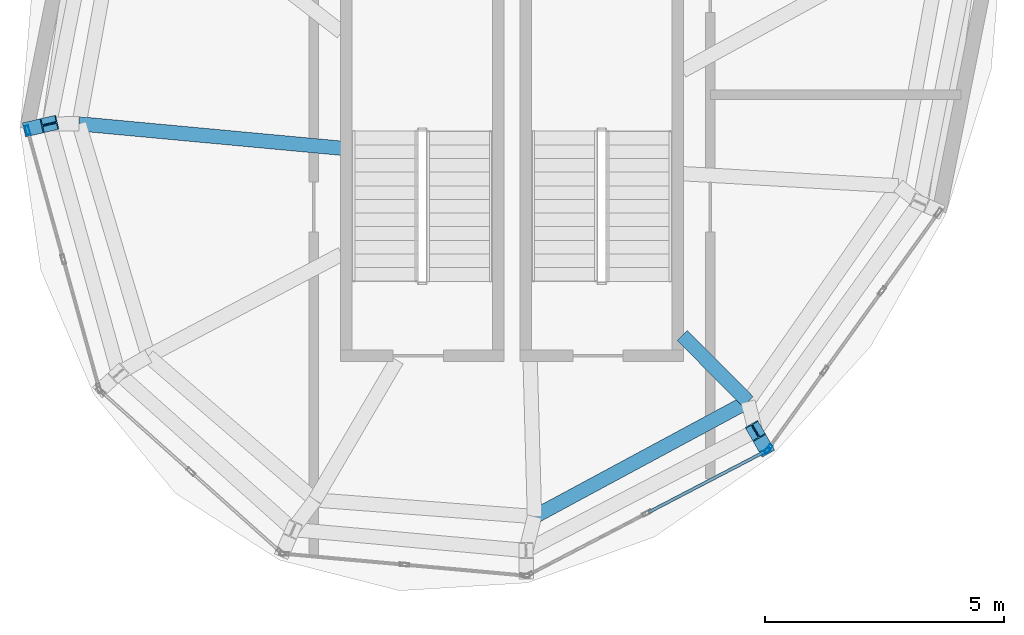
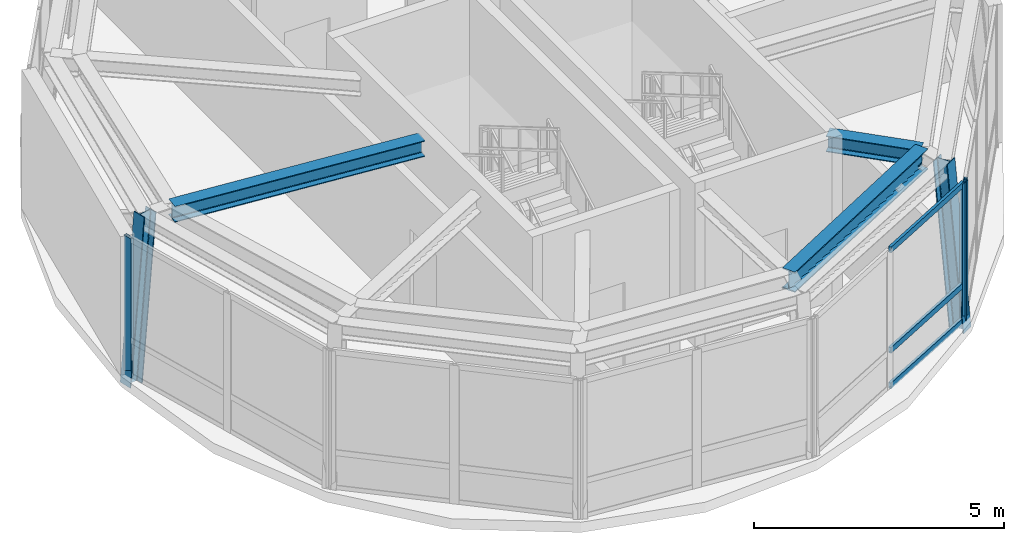
# One storey, part 2 of 9: 8 members, 3 beams, 3 elements without a shape of their own.
"""IFC4 building model written with IfcOpenShell, lengths in metres."""

from ifc_helpers import new_model, si_unit, direction, frame, origin, origin_2d, place, context, subcontext, project, spatial, hollow_rectangle, i_section, extrude, material, layer, layer_set, material_profile, profile_set, type_object, element, aggregate, save


model = new_model("IFC4")

# Units and contexts
model_context = context("Model", 3, precision=1e-05, world=origin(), true_north=direction((0.0, 1.0)))
body_context = subcontext(model_context, "Body", "Model", "MODEL_VIEW")
ifc_project = project(units=[si_unit("LENGTHUNIT", "METRE"), si_unit("AREAUNIT", "SQUARE_METRE"), si_unit("VOLUMEUNIT", "CUBIC_METRE"), si_unit("PLANEANGLEUNIT", "RADIAN"), si_unit("MASSUNIT", "GRAM", prefix="KILO"), si_unit("THERMODYNAMICTEMPERATUREUNIT", "KELVIN"), si_unit("POWERUNIT", "WATT")], contexts=[model_context])

# Site, building, storey
site_placement = place(None, origin())
site = spatial("IfcSite", under=ifc_project, at=site_placement, CompositionType="ELEMENT")
building_placement = place(site_placement, origin())
building = spatial("IfcBuilding", under=site, at=building_placement, Name="Ocrelia Relay Tower", CompositionType="ELEMENT")
storey_placement = place(building_placement, frame((0.0, 0.0, 304.0)))
storey = spatial("IfcBuildingStorey", under=building, at=storey_placement, Name="L76", CompositionType="ELEMENT", Elevation=304.0)

# Beams
ifc_material_1 = material(Name="Steel S355", Category="steel")
ifc_material_profile_1 = material_profile(ifc_material_1, i_section(OverallWidth=0.300048828125, OverallDepth=0.389892578125, WebThickness=0.010986328125, FlangeThickness=0.01904296875, FilletRadius=0.027099609375, at=origin_2d()), Name="HEA 400")
ifc_profile_set_1 = profile_set([ifc_material_profile_1], Name="Steel S355")
beam_type_1 = type_object("IfcBeamType", Name="BM-HEA400", PredefinedType="SPANDREL", material=ifc_profile_set_1)
beam_1_placement = place(storey_placement, frame((24.9404296875, 23.94189453125, 3.554931640625), z_axis=(0.995711742248, -0.092510141875, 0.0), x_axis=(0.092510141875, 0.995711742248, 0.0)))
element("IfcBeam", 1, at=beam_1_placement, inside=storey, type_object=beam_type_1, Name="L76 Crown Radial Floor Beam 05", PredefinedType="SPANDREL", context=body_context, shape_type="SweptSolid", body=[
    extrude(i_section(OverallWidth=0.300048828125, OverallDepth=0.389892578125, WebThickness=0.010986328125, FlangeThickness=0.01904296875, FilletRadius=0.027099609375, at=origin_2d()), origin(), (0.0, 0.0, 1.0), 5.518310546875),
])
beam_2_placement = place(storey_placement, frame((38.93701171875, 18.1298828125, 3.554931640625), z_axis=(-0.704720261178, 0.709485273621, 0.0), x_axis=(-0.709485273621, -0.704720261178, 0.0)))
element("IfcBeam", 2, at=beam_2_placement, inside=storey, type_object=beam_type_1, Name="L76 Crown Radial Floor Beam 09", PredefinedType="SPANDREL", context=body_context, shape_type="SweptSolid", body=[
    extrude(i_section(OverallWidth=0.300048828125, OverallDepth=0.389892578125, WebThickness=0.010986328125, FlangeThickness=0.01904296875, FilletRadius=0.027099609375, at=origin_2d()), origin(), (0.0, 0.0, 1.0), 1.947021484375),
])
ifc_material_profile_2 = material_profile(ifc_material_1, i_section(OverallWidth=0.300048828125, OverallDepth=0.5, WebThickness=0.014404296875, FlangeThickness=0.028076171875, FilletRadius=0.027099609375, at=origin_2d()), Name="HEB 500")
ifc_profile_set_2 = profile_set([ifc_material_profile_2], Name="Steel S355")
beam_type_2 = type_object("IfcBeamType", Name="BM-HEB500", PredefinedType="BEAM", material=ifc_profile_set_2)
beam_3_placement = place(storey_placement, frame((34.47021484375, 15.72412109375, 3.5), z_axis=(0.880424740468, 0.474185909082, 0.0), x_axis=(-0.474185909082, 0.880424740468, 0.0)))
element("IfcBeam", 3, at=beam_3_placement, inside=storey, type_object=beam_type_2, Name="L76 Crown Step Perimeter Ring Beam SR08", PredefinedType="BEAM", context=body_context, shape_type="SweptSolid", body=[
    extrude(i_section(OverallWidth=0.300048828125, OverallDepth=0.5, WebThickness=0.014404296875, FlangeThickness=0.028076171875, FilletRadius=0.027099609375, at=origin_2d()), origin(), (0.0, 0.0, 1.0), 5.073486328125),
])

# Curtain wall, member
ifc_material_2 = material(Name="Aluminium and solar-control low-E glass", Category="aluminium")
ifc_layer = layer(ifc_material_2, 0.179931640625, Name="Aluminium and solar-control low-E glass")
ifc_layer_set = layer_set([ifc_layer], Name="Aluminium and solar-control low-E glass")
curtain_wall_type = type_object("IfcCurtainWallType", Name="CW-SYS-CROWN-PT", PredefinedType="NOTDEFINED", material=ifc_layer_set)
curtain_wall_1_placement = place(storey_placement, origin())
curtain_wall_1 = element("IfcCurtainWall", 4, at=curtain_wall_1_placement, inside=storey, type_object=curtain_wall_type, Name="L76 Faceted Glass-Point Crown Curtain Wall 05", PredefinedType="NOTDEFINED")
ifc_material_3 = material(Name="Anodised bronze aluminium", Category="aluminium")
ifc_material_profile_3 = material_profile(ifc_material_3, hollow_rectangle(XDim=0.074951171875, YDim=0.199951171875, WallThickness=0.006103515625, at=origin_2d()), Name="CW-MUL-200x75")
ifc_profile_set_3 = profile_set([ifc_material_profile_3], Name="Anodised bronze aluminium")
member_type_1 = type_object("IfcMemberType", Name="CW-SYS-CROWN-PT-MUL", PredefinedType="MULLION", material=ifc_profile_set_3)
member_1_placement = place(storey_placement, frame((23.864013671875, 23.805419921875, 0.0), z_axis=(0.0, 0.0, 1.0), x_axis=(0.963737274825, 0.266852890397, 0.0)))
member_1 = element("IfcMember", 5, at=member_1_placement, type_object=member_type_1, Name="CW-CR mullion 1", PredefinedType="MULLION", context=body_context, shape_type="SweptSolid", body=[
    extrude(hollow_rectangle(XDim=0.074951171875, YDim=0.199951171875, WallThickness=0.006103515625, at=origin_2d()), origin(), (0.0, 0.0, 1.0), 3.389892578125),
])
aggregate(curtain_wall_1, [member_1])

curtain_wall_2_placement = place(storey_placement, origin())
curtain_wall_2 = element("IfcCurtainWall", 6, at=curtain_wall_2_placement, inside=storey, type_object=curtain_wall_type, Name="L76 Faceted Glass-Point Crown Curtain Wall 08", PredefinedType="NOTDEFINED")
member_2_placement = place(storey_placement, frame((39.307861328125, 17.090576171875, 0.0), z_axis=(0.0, 0.0, 1.0), x_axis=(-0.462104539137, 0.886825459101, 0.0)))
member_2 = element("IfcMember", 7, at=member_2_placement, type_object=member_type_1, Name="CW-CR mullion 3", PredefinedType="MULLION", context=body_context, shape_type="SweptSolid", body=[
    extrude(hollow_rectangle(XDim=0.074951171875, YDim=0.199951171875, WallThickness=0.006103515625, at=origin_2d()), origin(), (0.0, 0.0, 1.0), 3.389892578125),
])

curtain_wall_3_placement = place(storey_placement, origin())
curtain_wall_3 = element("IfcCurtainWall", 8, at=curtain_wall_3_placement, inside=storey, type_object=curtain_wall_type, Name="L76 Faceted Glass-Point Crown Curtain Wall 09", PredefinedType="NOTDEFINED")
member_3_placement = place(storey_placement, frame((39.36279296875, 17.13818359375, 0.0), z_axis=(0.0, 0.0, 1.0), x_axis=(-0.811754879976, 0.583998300371, 0.0)))
member_3 = element("IfcMember", 9, at=member_3_placement, type_object=member_type_1, Name="CW-CR mullion 1", PredefinedType="MULLION", context=body_context, shape_type="SweptSolid", body=[
    extrude(hollow_rectangle(XDim=0.074951171875, YDim=0.199951171875, WallThickness=0.006103515625, at=origin_2d()), origin(), (0.0, 0.0, 1.0), 3.389892578125),
])
aggregate(curtain_wall_3, [member_3])

# Member
ifc_material_profile_4 = material_profile(ifc_material_3, hollow_rectangle(XDim=0.06494140625, YDim=0.139892578125, WallThickness=0.0048828125, at=origin_2d()), Name="CW-TRN-140x65")
ifc_profile_set_4 = profile_set([ifc_material_profile_4], Name="Anodised bronze aluminium")
member_type_2 = type_object("IfcMemberType", Name="CW-SYS-CROWN-PT-TRN", PredefinedType="USERDEFINED", material=ifc_profile_set_4)
member_4_placement = place(storey_placement, frame((36.8583984375, 15.814208984375, 0.032470703125), z_axis=(0.886810038419, 0.462134131783, 0.0), x_axis=(-0.462134131783, 0.886810038419, 0.0)))
member_4 = element("IfcMember", 10, at=member_4_placement, type_object=member_type_2, Name="CW-CR transom 2.1", ObjectType="TRANSOM", PredefinedType="USERDEFINED", context=body_context, shape_type="SweptSolid", body=[
    extrude(hollow_rectangle(XDim=0.06494140625, YDim=0.139892578125, WallThickness=0.0048828125, at=origin_2d()), origin(), (0.0, 0.0, 1.0), 2.724365234375),
])

member_5_placement = place(storey_placement, frame((36.8583984375, 15.814208984375, 0.89990234375), z_axis=(0.886810038419, 0.462134131783, 0.0), x_axis=(-0.462134131783, 0.886810038419, 0.0)))
member_5 = element("IfcMember", 11, at=member_5_placement, type_object=member_type_2, Name="CW-CR transom 2.2", ObjectType="TRANSOM", PredefinedType="USERDEFINED", context=body_context, shape_type="SweptSolid", body=[
    extrude(hollow_rectangle(XDim=0.06494140625, YDim=0.139892578125, WallThickness=0.0048828125, at=origin_2d()), origin(), (0.0, 0.0, 1.0), 2.724365234375),
])

member_6_placement = place(storey_placement, frame((36.8583984375, 15.814208984375, 3.357421875), z_axis=(0.886810038419, 0.462134131783, 0.0), x_axis=(-0.462134131783, 0.886810038419, 0.0)))
member_6 = element("IfcMember", 12, at=member_6_placement, type_object=member_type_2, Name="CW-CR transom 2.3", ObjectType="TRANSOM", PredefinedType="USERDEFINED", context=body_context, shape_type="SweptSolid", body=[
    extrude(hollow_rectangle(XDim=0.06494140625, YDim=0.139892578125, WallThickness=0.0048828125, at=origin_2d()), origin(), (0.0, 0.0, 1.0), 2.724365234375),
])

aggregate(curtain_wall_2, [member_2, member_4, member_5, member_6])

# Members
ifc_material_profile_5 = material_profile(ifc_material_1, i_section(OverallWidth=0.300048828125, OverallDepth=0.340087890625, WebThickness=0.011962890625, FlangeThickness=0.021484375, FilletRadius=0.027099609375, at=origin_2d()), Name="HEB 340")
ifc_profile_set_5 = profile_set([ifc_material_profile_5], Name="Steel S355")
member_type_3 = type_object("IfcMemberType", Name="MB-CROWN-RIB", PredefinedType="STRUT", material=ifc_profile_set_5)
for number, where, z_axis, x_axis, name in (
    (13, (23.95361328125, 23.85302734375, -0.25), (0.091512369506, 0.021267814958, 0.995576800791), (-0.226370797158, 0.974041201487, 0.0), "L76 Crown Faceted Structural Strut Rib CR05"),
    (14, (39.281494140625, 17.188232421875, -0.25), (-0.046850000909, 0.08142542311, 0.995577710621), (-0.866766510077, -0.498714163634, 0.0), "L76 Crown Faceted Structural Strut Rib CR09"),
):
    element("IfcMember", number, at=place(storey_placement, frame(where, z_axis=z_axis, x_axis=x_axis)), inside=storey, type_object=member_type_3, Name=name, PredefinedType="STRUT", context=body_context, shape_type="SweptSolid", body=[
        extrude(i_section(OverallWidth=0.300048828125, OverallDepth=0.340087890625, WebThickness=0.011962890625, FlangeThickness=0.021484375, FilletRadius=0.027099609375, at=origin_2d()), origin(), (0.0, 0.0, 1.0), 4.017822265625),
    ])

save(model, "model.ifc")
